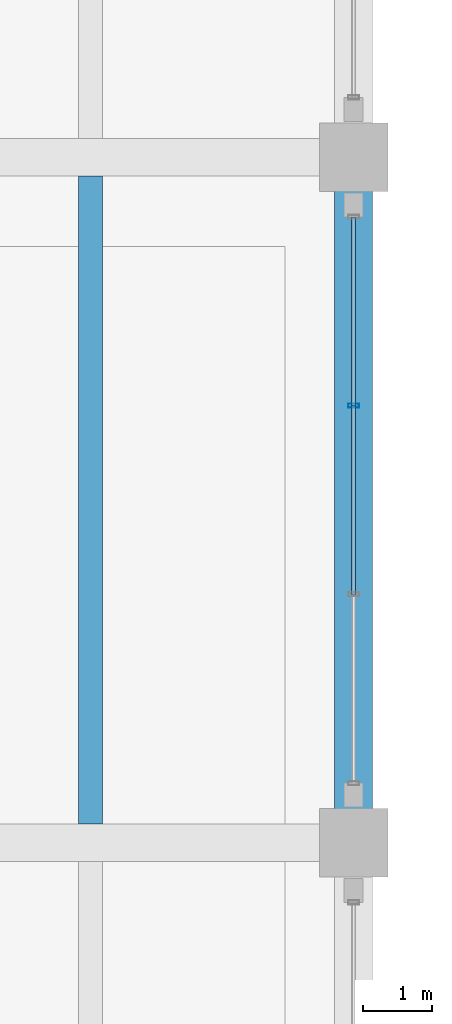
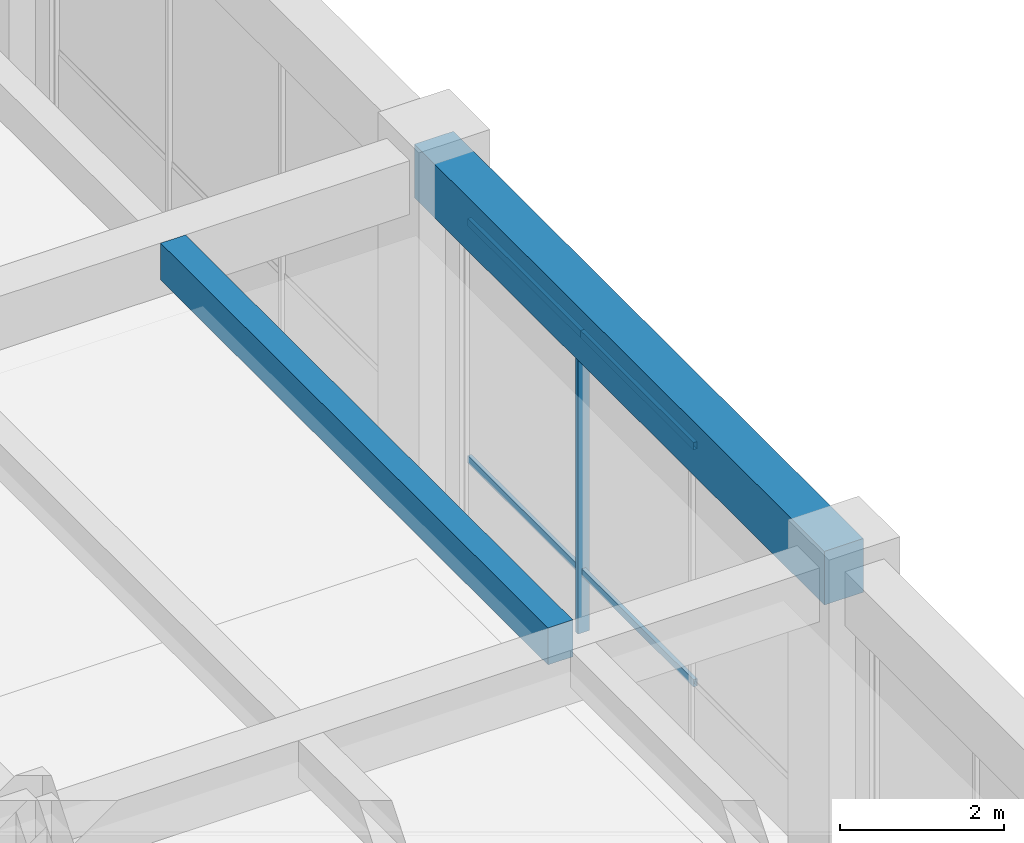
# One storey, part 68 of 148: 5 members, 2 beams, 1 element without a shape of its own.
"""IFC4 building model written with IfcOpenShell, lengths in metres."""

from ifc_helpers import new_model, si_unit, direction, frame, origin, origin_2d, place, context, subcontext, project, spatial, rectangle, hollow_rectangle, extrude, material, material_profile, profile_set, type_object, element, aggregate, save


model = new_model("IFC4")

# Units and contexts
model_context = context("Model", 3, precision=1e-05, world=origin(), true_north=direction((0.0, 1.0)))
body_context = subcontext(model_context, "Body", "Model", "MODEL_VIEW")
ifc_project = project(units=[si_unit("LENGTHUNIT", "METRE"), si_unit("AREAUNIT", "SQUARE_METRE"), si_unit("VOLUMEUNIT", "CUBIC_METRE"), si_unit("PLANEANGLEUNIT", "RADIAN"), si_unit("MASSUNIT", "GRAM", prefix="KILO")], contexts=[model_context])

# Site, building, storey
site_placement = place(None, origin())
site = spatial("IfcSite", under=ifc_project, at=site_placement, CompositionType="ELEMENT")
building_placement = place(site_placement, origin())
building = spatial("IfcBuilding", under=site, at=building_placement, Name="Ologun Quay Terminus", CompositionType="ELEMENT")
storey_placement = place(building_placement, frame((0.0, 0.0, 8.39990234375)))
storey = spatial("IfcBuildingStorey", under=building, at=storey_placement, Name="L02", CompositionType="ELEMENT", Elevation=8.39990234375)

# Curtain wall, members
ifc_material_1 = material(Name="Aluminium 6063-T6", Category="aluminium")
curtain_wall_type = type_object("IfcCurtainWallType", Name="Rain-Garden West Courtyard Curtain Wall L02 8200x5000", PredefinedType="USERDEFINED", material=ifc_material_1)
curtain_wall_placement = place(storey_placement, origin())
curtain_wall = element("IfcCurtainWall", 1, at=curtain_wall_placement, inside=storey, type_object=curtain_wall_type, Name="CW-15 Curtain Wall CW-L02-106", ObjectType="UNITISED CURTAIN WALL", PredefinedType="USERDEFINED")
ifc_material_2 = material(Name="Aluminium 6063-T6", Category="aluminium")
ifc_material_profile_1 = material_profile(ifc_material_2, hollow_rectangle(XDim=0.06005859375, YDim=0.159912109375, WallThickness=0.00390625, at=origin_2d()), Name="ALU 160x60x4")
ifc_profile_set_1 = profile_set([ifc_material_profile_1], Name="Aluminium 6063-T6")
member_type_1 = type_object("IfcMemberType", Name="Courtyard Screen Mullion 160x65", PredefinedType="MULLION", material=ifc_profile_set_1)
member_1_placement = place(storey_placement, frame((69.0, 101.1767578125, 0.0), z_axis=(0.0, 0.0, 1.0), x_axis=(0.0, 1.0, 0.0)))
member_1 = element("IfcMember", 2, at=member_1_placement, type_object=member_type_1, Name="CW-L02-106 Mullion 3", PredefinedType="MULLION", context=body_context, shape_type="SweptSolid", body=[
    extrude(hollow_rectangle(XDim=0.06005859375, YDim=0.159912109375, WallThickness=0.00390625, at=origin_2d()), origin(), (0.0, 0.0, 1.0), 5.130126953125),
])
ifc_material_3 = material(Name="Aluminium 6063-T6", Category="aluminium")
ifc_material_profile_2 = material_profile(ifc_material_3, hollow_rectangle(XDim=0.054931640625, YDim=0.110107421875, WallThickness=0.00390625, at=origin_2d()), Name="ALU 110x55x4")
ifc_profile_set_2 = profile_set([ifc_material_profile_2], Name="Aluminium 6063-T6")
member_type_2 = type_object("IfcMemberType", Name="Courtyard Screen Transom 110x55", PredefinedType="USERDEFINED", material=ifc_profile_set_2)
member_2_placement = place(storey_placement, frame((69.0, 98.42333984375, 0.900146484375), z_axis=(0.0, 1.0, 0.0), x_axis=(-1.0, 0.0, 0.0)))
member_2 = element("IfcMember", 3, at=member_2_placement, type_object=member_type_2, Name="CW-L02-106 Transom B2-1", ObjectType="TRANSOM", PredefinedType="USERDEFINED", context=body_context, shape_type="SweptSolid", body=[
    extrude(hollow_rectangle(XDim=0.054931640625, YDim=0.110107421875, WallThickness=0.00390625, at=origin_2d()), origin(), (0.0, 0.0, 1.0), 2.75341796875),
])
member_3_placement = place(storey_placement, frame((69.0, 98.42333984375, 4.43017578125), z_axis=(0.0, 1.0, 0.0), x_axis=(-1.0, 0.0, 0.0)))
member_3 = element("IfcMember", 4, at=member_3_placement, type_object=member_type_2, Name="CW-L02-106 Transom B2-2", ObjectType="TRANSOM", PredefinedType="USERDEFINED", context=body_context, shape_type="SweptSolid", body=[
    extrude(hollow_rectangle(XDim=0.054931640625, YDim=0.110107421875, WallThickness=0.00390625, at=origin_2d()), origin(), (0.0, 0.0, 1.0), 2.75341796875),
])
member_4_placement = place(storey_placement, frame((69.0, 101.1767578125, 0.900146484375), z_axis=(0.0, 1.0, 0.0), x_axis=(-1.0, 0.0, 0.0)))
member_4 = element("IfcMember", 5, at=member_4_placement, type_object=member_type_2, Name="CW-L02-106 Transom B3-1", ObjectType="TRANSOM", PredefinedType="USERDEFINED", context=body_context, shape_type="SweptSolid", body=[
    extrude(hollow_rectangle(XDim=0.054931640625, YDim=0.110107421875, WallThickness=0.00390625, at=origin_2d()), origin(), (0.0, 0.0, 1.0), 2.753173828125),
])
member_5_placement = place(storey_placement, frame((69.0, 101.1767578125, 4.43017578125), z_axis=(0.0, 1.0, 0.0), x_axis=(-1.0, 0.0, 0.0)))
member_5 = element("IfcMember", 6, at=member_5_placement, type_object=member_type_2, Name="CW-L02-106 Transom B3-2", ObjectType="TRANSOM", PredefinedType="USERDEFINED", context=body_context, shape_type="SweptSolid", body=[
    extrude(hollow_rectangle(XDim=0.054931640625, YDim=0.110107421875, WallThickness=0.00390625, at=origin_2d()), origin(), (0.0, 0.0, 1.0), 2.753173828125),
])
aggregate(curtain_wall, [member_1, member_2, member_3, member_4, member_5])

# Beams
ifc_material_4 = material(Name="Concrete C40/50", Category="concrete")
ifc_material_profile_3 = material_profile(ifc_material_4, rectangle(XDim=0.550048828125, YDim=0.800048828125, at=origin_2d()), Name="RC 550x800")
ifc_profile_set_3 = profile_set([ifc_material_profile_3], Name="Concrete C40/50")
beam_type_1 = type_object("IfcBeamType", Name="Courtyard Wing Primary Girder 550x800", PredefinedType="BEAM", material=ifc_profile_set_3)
beam_1_placement = place(storey_placement, frame((69.0, 94.800048828125, 4.75), z_axis=(0.0, 1.0, 0.0), x_axis=(-1.0, 0.0, 0.0)))
element("IfcBeam", 7, at=beam_1_placement, inside=storey, type_object=beam_type_1, Name="B4 Beam 7/H L02", PredefinedType="BEAM", context=body_context, shape_type="SweptSolid", body=[
    extrude(rectangle(XDim=0.550048828125, YDim=0.800048828125, at=origin_2d()), origin(), (0.0, 0.0, 1.0), 10.0),
])
ifc_material_5 = material(Name="Concrete C40/50", Category="concrete")
ifc_material_profile_4 = material_profile(ifc_material_5, rectangle(XDim=0.35009765625, YDim=0.550048828125, at=origin_2d()), Name="RC 350x550")
ifc_profile_set_4 = profile_set([ifc_material_profile_4], Name="Concrete C40/50")
beam_type_2 = type_object("IfcBeamType", Name="Courtyard Wing Secondary Joist 350x550", PredefinedType="JOIST", material=ifc_profile_set_4)
beam_2_placement = place(storey_placement, frame((65.166748046875, 95.074951171875, 4.875), z_axis=(0.0, 1.0, 0.0), x_axis=(-1.0, 0.0, 0.0)))
element("IfcBeam", 8, at=beam_2_placement, inside=storey, type_object=beam_type_2, Name="J2 Beam 6/H L02", PredefinedType="JOIST", context=body_context, shape_type="SweptSolid", body=[
    extrude(rectangle(XDim=0.35009765625, YDim=0.550048828125, at=origin_2d()), origin(), (0.0, 0.0, 1.0), 9.449951171875),
])

save(model, "model.ifc")
